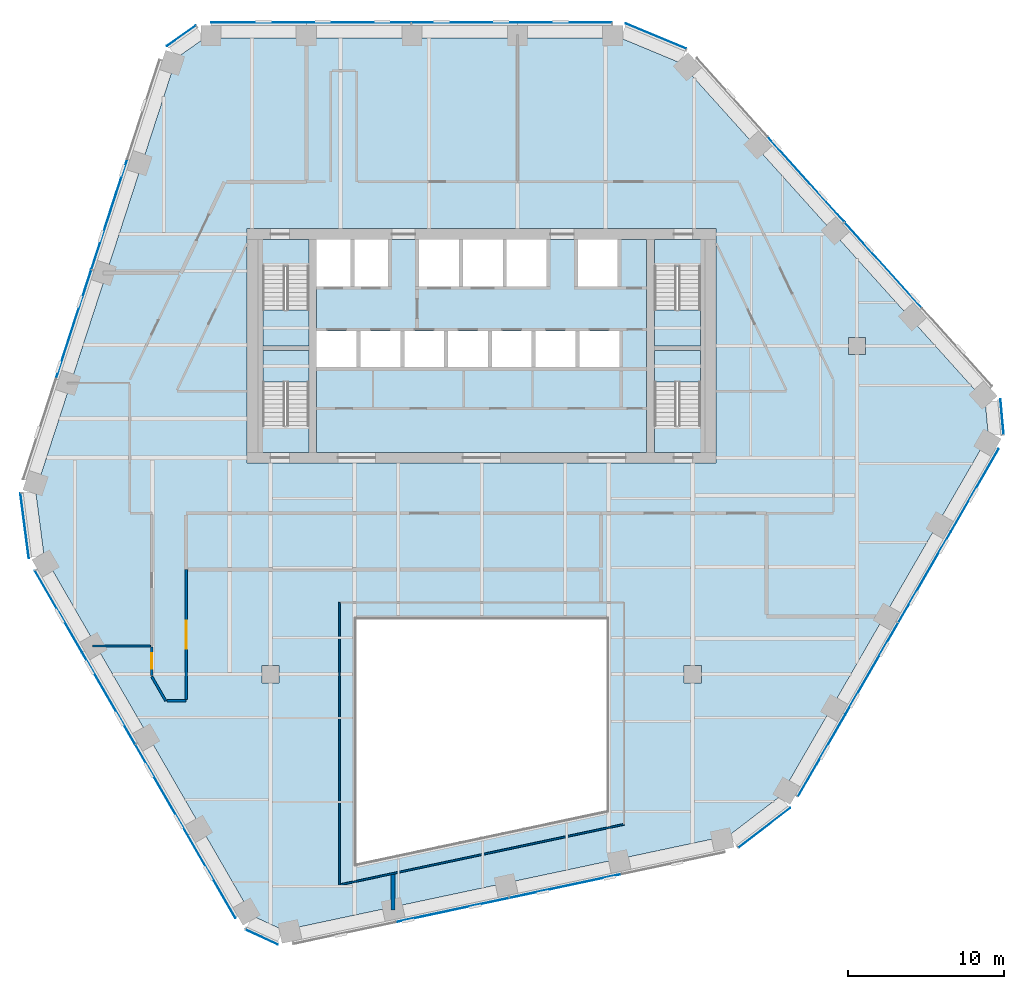
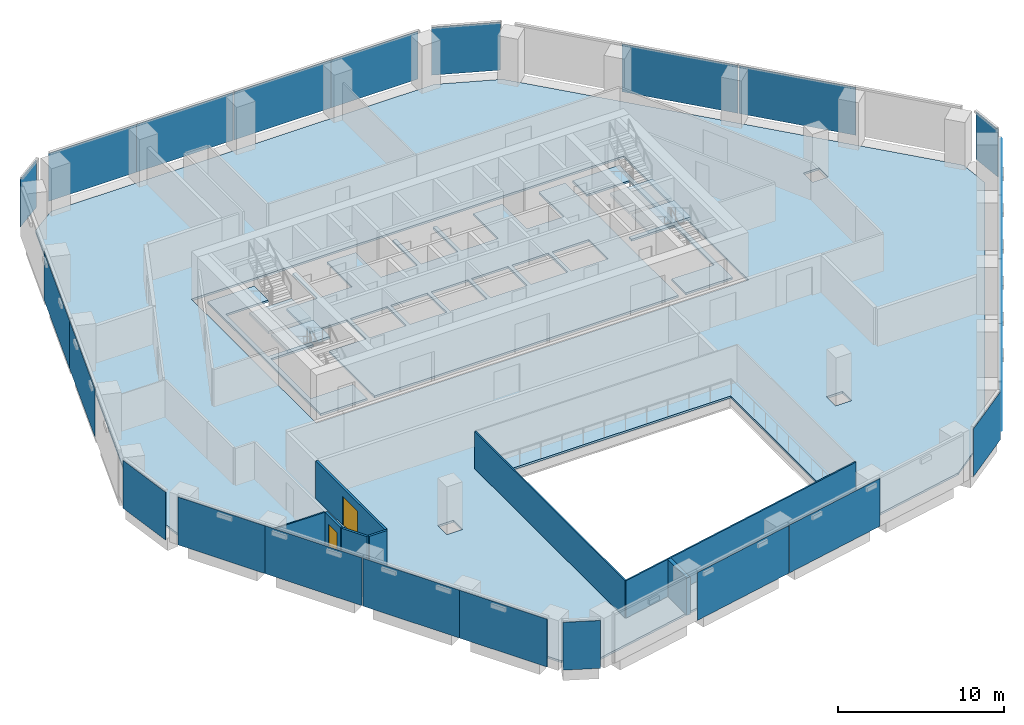
# One storey, part 10 of 17: 24 plates, 8 slabs, 8 walls, 2 doors, 2 openings, 16 elements without a shape of their own.
"""IFC4 building model written with IfcOpenShell, lengths in metres."""

from ifc_helpers import new_model, si_unit, direction, frame, frame_2d, origin, origin_2d, place, context, subcontext, project, spatial, polyline, rectangle, outline, extrude, material, layer, layer_set, type_object, element, fill, aggregate, save


model = new_model("IFC4")

# Units and contexts
model_context = context("Model", 3, precision=1e-05, world=origin(), true_north=direction((0.0, 1.0)))
body_context = subcontext(model_context, "Body", "Model", "MODEL_VIEW")
ifc_project = project(units=[si_unit("LENGTHUNIT", "METRE"), si_unit("AREAUNIT", "SQUARE_METRE"), si_unit("VOLUMEUNIT", "CUBIC_METRE"), si_unit("PLANEANGLEUNIT", "RADIAN"), si_unit("MASSUNIT", "GRAM", prefix="KILO")], contexts=[model_context])

# Site, building, storey
site_placement = place(None, origin())
site = spatial("IfcSite", under=ifc_project, at=site_placement, CompositionType="ELEMENT")
building_placement = place(site_placement, origin())
building = spatial("IfcBuilding", under=site, at=building_placement, Name="Isthmus Gate Tower", CompositionType="ELEMENT")
storey_placement = place(building_placement, frame((0.0, 0.0, 200.0)))
storey = spatial("IfcBuildingStorey", under=building, at=storey_placement, Name="L50", CompositionType="ELEMENT", Elevation=200.0)

# Slabs
ifc_material_1 = material(Name="Concrete f'c 40 MPa", Category="concrete")
ifc_layer_1 = layer(ifc_material_1, 0.14990234375)
ifc_layer_set_1 = layer_set([ifc_layer_1], Name="COMPOSITE FLOOR SLAB 150")
slab_type_1 = type_object("IfcSlabType", Name="COMPOSITE FLOOR SLAB 150", PredefinedType="FLOOR", material=ifc_layer_set_1)
slab_1_placement = place(storey_placement, frame((0.0, 0.0, -0.14990234375)))
element("IfcSlab", 1, at=slab_1_placement, inside=storey, type_object=slab_type_1, Name="str-slab-L50-1", PredefinedType="FLOOR", context=body_context, shape_type="SweptSolid", body=[
    extrude(outline(polyline([(12.72802734375, 25.599365234375), (32.21044921875, 3.9619140625), (32.410400390625, 1.736083984375), (19.116455078125, -21.289306640625), (15.8056640625, -23.822509765625), (-12.674072265625, -29.876220703125), (-14.701416015625, -28.936279296875), (-27.995361328125, -5.91064453125), (-28.53369140625, -1.77685546875), (-19.536376953125, 25.9140625), (-17.708740234375, 27.199951171875), (8.87890625, 27.199951171875), (12.72802734375, 25.599365234375)]), holes=[polyline([(-8.0, -10.0), (-8.0, -25.611083984375), (8.0, -22.210205078125), (8.0, -10.0), (-8.0, -10.0)]), polyline([(-14.050048828125, -12.949951171875), (-14.050048828125, -14.050048828125), (-12.949951171875, -14.050048828125), (-12.949951171875, -12.949951171875), (-14.050048828125, -12.949951171875)]), polyline([(14.050048828125, -12.949951171875), (12.949951171875, -12.949951171875), (12.949951171875, -14.050048828125), (14.050048828125, -14.050048828125), (14.050048828125, -12.949951171875)]), polyline([(-15.0, 15.0), (-15.0, 0.0), (15.0, 0.0), (15.0, 15.0), (-15.0, 15.0)]), polyline([(24.550048828125, 6.949951171875), (24.550048828125, 8.050048828125), (23.449951171875, 8.050048828125), (23.449951171875, 6.949951171875), (24.550048828125, 6.949951171875)])]), origin(), (0.0, 0.0, 1.0), 0.14990234375),
])
ifc_material_2 = material(Name="Concrete f'c 40 MPa", Category="concrete")
ifc_layer_2 = layer(ifc_material_2, 0.14990234375)
ifc_layer_set_2 = layer_set([ifc_layer_2], Name="CORE FLOOR SLAB 150")
slab_type_2 = type_object("IfcSlabType", Name="CORE FLOOR SLAB 150", PredefinedType="FLOOR", material=ifc_layer_set_2)
slab_2_placement = place(storey_placement, frame((0.0, 0.0, -0.14990234375)))
element("IfcSlab", 2, at=slab_2_placement, inside=storey, type_object=slab_type_2, Name="L50 core floor", PredefinedType="FLOOR", context=body_context, shape_type="SweptSolid", body=[
    extrude(outline(polyline([(-11.050048828125, 0.699951171875), (-11.050048828125, 2.402099609375), (-14.0, 2.402099609375), (-14.0, 7.199951171875), (-11.050048828125, 7.199951171875), (-11.050048828125, 7.5), (-14.0, 7.5), (-14.0, 12.597900390625), (-11.050048828125, 12.597900390625), (-11.050048828125, 14.300048828125), (-14.300048828125, 14.300048828125), (-14.300048828125, 0.699951171875), (-11.050048828125, 0.699951171875)])), origin(), (0.0, 0.0, 1.0), 0.14990234375),
])
slab_3_placement = place(storey_placement, frame((0.0, 0.0, -0.14990234375)))
element("IfcSlab", 3, at=slab_3_placement, inside=storey, type_object=slab_type_2, Name="L50 core floor", PredefinedType="FLOOR", context=body_context, shape_type="SweptSolid", body=[
    extrude(outline(polyline([(10.550048828125, 14.300048828125), (8.699951171875, 14.300048828125), (8.699951171875, 11.300048828125), (6.14990234375, 11.300048828125), (6.14990234375, 14.300048828125), (4.14990234375, 14.300048828125), (4.14990234375, 11.300048828125), (1.60009765625, 11.300048828125), (1.60009765625, 14.300048828125), (1.35009765625, 14.300048828125), (1.35009765625, 11.300048828125), (-1.199951171875, 11.300048828125), (-1.199951171875, 14.300048828125), (-1.449951171875, 14.300048828125), (-1.449951171875, 11.300048828125), (-4.0, 11.300048828125), (-4.0, 14.300048828125), (-6.0, 14.300048828125), (-6.0, 11.300048828125), (-8.14990234375, 11.300048828125), (-8.14990234375, 14.300048828125), (-8.39990234375, 14.300048828125), (-8.39990234375, 11.300048828125), (-10.550048828125, 11.300048828125), (-10.550048828125, 8.449951171875), (-8.0, 8.449951171875), (-8.0, 6.14990234375), (-10.550048828125, 6.14990234375), (-10.550048828125, 0.699951171875), (10.550048828125, 0.699951171875), (10.550048828125, 14.300048828125)]), holes=[polyline([(-5.199951171875, 8.449951171875), (-5.199951171875, 6.14990234375), (-7.75, 6.14990234375), (-7.75, 8.449951171875), (-5.199951171875, 8.449951171875)]), polyline([(-2.39990234375, 8.449951171875), (-2.39990234375, 6.14990234375), (-4.949951171875, 6.14990234375), (-4.949951171875, 8.449951171875), (-2.39990234375, 8.449951171875)]), polyline([(0.39990234375, 8.449951171875), (0.39990234375, 6.14990234375), (-2.14990234375, 6.14990234375), (-2.14990234375, 8.449951171875), (0.39990234375, 8.449951171875)]), polyline([(3.199951171875, 8.449951171875), (3.199951171875, 6.14990234375), (0.64990234375, 6.14990234375), (0.64990234375, 8.449951171875), (3.199951171875, 8.449951171875)]), polyline([(6.0, 8.449951171875), (6.0, 6.14990234375), (3.449951171875, 6.14990234375), (3.449951171875, 8.449951171875), (6.0, 8.449951171875)]), polyline([(8.800048828125, 8.449951171875), (8.800048828125, 6.14990234375), (6.25, 6.14990234375), (6.25, 8.449951171875), (8.800048828125, 8.449951171875)])]), origin(), (0.0, 0.0, 1.0), 0.14990234375),
])
slab_4_placement = place(storey_placement, frame((0.0, 0.0, -0.14990234375)))
element("IfcSlab", 4, at=slab_4_placement, inside=storey, type_object=slab_type_2, Name="L50 core floor", PredefinedType="FLOOR", context=body_context, shape_type="SweptSolid", body=[
    extrude(outline(polyline([(11.050048828125, 14.300048828125), (11.050048828125, 12.597900390625), (14.0, 12.597900390625), (14.0, 7.5), (11.050048828125, 7.5), (11.050048828125, 7.199951171875), (14.0, 7.199951171875), (14.0, 2.402099609375), (11.050048828125, 2.402099609375), (11.050048828125, 0.699951171875), (14.300048828125, 0.699951171875), (14.300048828125, 14.300048828125), (11.050048828125, 14.300048828125)])), origin(), (0.0, 0.0, 1.0), 0.14990234375),
])

# Curtain wall, plates
ifc_material_3 = material(Name="Aluminium, pale champagne anodised", Category="aluminium")
ifc_layer_3 = layer(ifc_material_3, 0.199951171875)
ifc_layer_set_3 = layer_set([ifc_layer_3], Name="CW-1 UNITISED CURTAIN WALL 200 DEEP")
curtain_wall_type = type_object("IfcCurtainWallType", Name="CW-1 UNITISED CURTAIN WALL 200 DEEP", PredefinedType="NOTDEFINED", material=ifc_layer_set_3)
curtain_wall_1_placement = place(storey_placement, origin())
curtain_wall_1 = element("IfcCurtainWall", 5, at=curtain_wall_1_placement, inside=storey, type_object=curtain_wall_type, Name="CW-1 N L50", PredefinedType="NOTDEFINED")
ifc_material_4 = material(Name="Laminated low-iron glass, pale blue tint", Category="glass")
ifc_layer_4 = layer(ifc_material_4, 0.035888671875)
ifc_layer_set_4 = layer_set([ifc_layer_4], Name="CW-1 CLEAR GLASS LITE 36")
plate_type = type_object("IfcPlateType", Name="CW-1 CLEAR GLASS LITE 36", PredefinedType="CURTAIN_PANEL", material=ifc_layer_set_4)
plate_1_placement = place(storey_placement, frame((5.30859375, 28.181884765625, 0.0), z_axis=(0.0, 0.0, 1.0), x_axis=(-1.0, 0.0, 0.0)))
plate_1 = element("IfcPlate", 6, at=plate_1_placement, type_object=plate_type, Name="CW-1 glass lite", PredefinedType="CURTAIN_PANEL", context=body_context, shape_type="SweptSolid", body=[
    extrude(rectangle(XDim=6.0400390625, YDim=0.035888671875, at=origin_2d()), origin(), (0.0, 0.0, 1.0), 3.510009765625),
])
plate_2_placement = place(storey_placement, frame((-1.086669921875, 28.181884765625, 0.0), z_axis=(0.0, 0.0, 1.0), x_axis=(-1.0, 0.0, 0.0)))
plate_2 = element("IfcPlate", 7, at=plate_2_placement, type_object=plate_type, Name="CW-1 glass lite", PredefinedType="CURTAIN_PANEL", context=body_context, shape_type="SweptSolid", body=[
    extrude(rectangle(XDim=6.750244140625, YDim=0.035888671875, at=origin_2d()), origin(), (0.0, 0.0, 1.0), 3.510009765625),
])
plate_3_placement = place(storey_placement, frame((-7.86669921875, 28.181884765625, 0.0), z_axis=(0.0, 0.0, 1.0), x_axis=(-1.0, 0.0, 0.0)))
plate_3 = element("IfcPlate", 8, at=plate_3_placement, type_object=plate_type, Name="CW-1 glass lite", PredefinedType="CURTAIN_PANEL", context=body_context, shape_type="SweptSolid", body=[
    extrude(rectangle(XDim=6.690185546875, YDim=0.035888671875, at=origin_2d()), origin(), (0.0, 0.0, 1.0), 3.510009765625),
])
plate_4_placement = place(storey_placement, frame((-14.261962890625, 28.181884765625, 0.0), z_axis=(0.0, 0.0, 1.0), x_axis=(-1.0, 0.0, 0.0)))
plate_4 = element("IfcPlate", 9, at=plate_4_placement, type_object=plate_type, Name="CW-1 glass lite", PredefinedType="CURTAIN_PANEL", context=body_context, shape_type="SweptSolid", body=[
    extrude(rectangle(XDim=6.10009765625, YDim=0.035888671875, at=origin_2d()), origin(), (0.0, 0.0, 1.0), 3.510009765625),
])
aggregate(curtain_wall_1, [plate_1, plate_2, plate_3, plate_4])

# Curtain wall, plate
curtain_wall_2_placement = place(storey_placement, origin())
curtain_wall_2 = element("IfcCurtainWall", 10, at=curtain_wall_2_placement, inside=storey, type_object=curtain_wall_type, Name="CW-1 N-NW L50", PredefinedType="NOTDEFINED")
plate_5_placement = place(storey_placement, frame((-19.2119140625, 27.343017578125, 0.0), z_axis=(0.0, 0.0, 1.0), x_axis=(-0.81785959165, -0.57541783805, 0.0)))
plate_5 = element("IfcPlate", 11, at=plate_5_placement, type_object=plate_type, Name="CW-1 glass lite", PredefinedType="CURTAIN_PANEL", context=body_context, shape_type="SweptSolid", body=[
    extrude(rectangle(XDim=2.258544921875, YDim=0.035888671875, at=origin_2d()), origin(), (0.0, 0.0, 1.0), 3.510009765625),
])
aggregate(curtain_wall_2, [plate_5])

# Curtain wall, plates
curtain_wall_3_placement = place(storey_placement, origin())
curtain_wall_3 = element("IfcCurtainWall", 12, at=curtain_wall_3_placement, inside=storey, type_object=curtain_wall_type, Name="CW-1 NW L50", PredefinedType="NOTDEFINED")
plate_6_placement = place(storey_placement, frame((-23.813720703125, 15.927490234375, 0.0), z_axis=(0.0, 0.0, 1.0), x_axis=(-0.309016994375, -0.951056516295, 0.0)))
plate_6 = element("IfcPlate", 13, at=plate_6_placement, type_object=plate_type, Name="CW-1 glass lite", PredefinedType="CURTAIN_PANEL", context=body_context, shape_type="SweptSolid", body=[
    extrude(rectangle(XDim=7.390869140625, YDim=0.035888671875, at=origin_2d()), origin(), (0.0, 0.0, 1.0), 3.510009765625),
])
plate_7_placement = place(storey_placement, frame((-26.10693359375, 8.8701171875, 0.0), z_axis=(0.0, 0.0, 1.0), x_axis=(-0.309016994375, -0.951056516295, 0.0)))
plate_7 = element("IfcPlate", 14, at=plate_7_placement, type_object=plate_type, Name="CW-1 glass lite", PredefinedType="CURTAIN_PANEL", context=body_context, shape_type="SweptSolid", body=[
    extrude(rectangle(XDim=7.330810546875, YDim=0.035888671875, at=origin_2d()), origin(), (0.0, 0.0, 1.0), 3.510009765625),
])
aggregate(curtain_wall_3, [plate_6, plate_7])

# Curtain wall, plate
curtain_wall_4_placement = place(storey_placement, origin())
curtain_wall_4 = element("IfcCurtainWall", 15, at=curtain_wall_4_placement, inside=storey, type_object=curtain_wall_type, Name="CW-1 NW-SW L50", PredefinedType="NOTDEFINED")
plate_8_placement = place(storey_placement, frame((-29.234619140625, -3.9990234375, 0.0), z_axis=(0.0, 0.0, 1.0), x_axis=(0.129164534, -0.991623175988, 0.0)))
plate_8 = element("IfcPlate", 16, at=plate_8_placement, type_object=plate_type, Name="CW-1 glass lite", PredefinedType="CURTAIN_PANEL", context=body_context, shape_type="SweptSolid", body=[
    extrude(rectangle(XDim=4.181396484375, YDim=0.035888671875, at=origin_2d()), origin(), (0.0, 0.0, 1.0), 3.510009765625),
])
aggregate(curtain_wall_4, [plate_8])

# Curtain wall, plates
curtain_wall_5_placement = place(storey_placement, origin())
curtain_wall_5 = element("IfcCurtainWall", 17, at=curtain_wall_5_placement, inside=storey, type_object=curtain_wall_type, Name="CW-1 SW L50", PredefinedType="NOTDEFINED")
plate_9_placement = place(storey_placement, frame((-27.060546875, -9.49365234375, 0.0), z_axis=(0.0, 0.0, 1.0), x_axis=(0.5, -0.866025403784, 0.0)))
plate_9 = element("IfcPlate", 18, at=plate_9_placement, type_object=plate_type, Name="CW-1 glass lite", PredefinedType="CURTAIN_PANEL", context=body_context, shape_type="SweptSolid", body=[
    extrude(rectangle(XDim=6.0400390625, YDim=0.035888671875, at=origin_2d()), origin(), (0.0, 0.0, 1.0), 3.510009765625),
])
plate_10_placement = place(storey_placement, frame((-23.863037109375, -15.031982421875, 0.0), z_axis=(0.0, 0.0, 1.0), x_axis=(0.5, -0.866025403784, 0.0)))
plate_10 = element("IfcPlate", 19, at=plate_10_placement, type_object=plate_type, Name="CW-1 glass lite", PredefinedType="CURTAIN_PANEL", context=body_context, shape_type="SweptSolid", body=[
    extrude(rectangle(XDim=6.750244140625, YDim=0.035888671875, at=origin_2d()), origin(), (0.0, 0.0, 1.0), 3.510009765625),
])
plate_11_placement = place(storey_placement, frame((-20.472900390625, -20.90380859375, 0.0), z_axis=(0.0, 0.0, 1.0), x_axis=(0.5, -0.866025403784, 0.0)))
plate_11 = element("IfcPlate", 20, at=plate_11_placement, type_object=plate_type, Name="CW-1 glass lite", PredefinedType="CURTAIN_PANEL", context=body_context, shape_type="SweptSolid", body=[
    extrude(rectangle(XDim=6.690185546875, YDim=0.035888671875, at=origin_2d()), origin(), (0.0, 0.0, 1.0), 3.510009765625),
])
plate_12_placement = place(storey_placement, frame((-17.275390625, -26.442138671875, 0.0), z_axis=(0.0, 0.0, 1.0), x_axis=(0.5, -0.866025403784, 0.0)))
plate_12 = element("IfcPlate", 21, at=plate_12_placement, type_object=plate_type, Name="CW-1 glass lite", PredefinedType="CURTAIN_PANEL", context=body_context, shape_type="SweptSolid", body=[
    extrude(rectangle(XDim=6.10009765625, YDim=0.035888671875, at=origin_2d()), origin(), (0.0, 0.0, 1.0), 3.510009765625),
])
aggregate(curtain_wall_5, [plate_9, plate_10, plate_11, plate_12])

# Curtain wall, plate
curtain_wall_6_placement = place(storey_placement, origin())
curtain_wall_6 = element("IfcCurtainWall", 22, at=curtain_wall_6_placement, inside=storey, type_object=curtain_wall_type, Name="CW-1 SW-S L50", PredefinedType="NOTDEFINED")
plate_13_placement = place(storey_placement, frame((-14.07373046875, -30.3095703125, 0.0), z_axis=(0.0, 0.0, 1.0), x_axis=(0.907256261367, -0.420578264073, 0.0)))
plate_13 = element("IfcPlate", 23, at=plate_13_placement, type_object=plate_type, Name="CW-1 glass lite", PredefinedType="CURTAIN_PANEL", context=body_context, shape_type="SweptSolid", body=[
    extrude(rectangle(XDim=2.258544921875, YDim=0.035888671875, at=origin_2d()), origin(), (0.0, 0.0, 1.0), 3.510009765625),
])
aggregate(curtain_wall_6, [plate_13])

# Curtain wall, plates
curtain_wall_7_placement = place(storey_placement, origin())
curtain_wall_7 = element("IfcCurtainWall", 24, at=curtain_wall_7_placement, inside=storey, type_object=curtain_wall_type, Name="CW-1 S L50", PredefinedType="NOTDEFINED")
plate_14_placement = place(storey_placement, frame((-1.88671875, -28.587158203125, 0.0), z_axis=(0.0, 0.0, 1.0), x_axis=(0.978147600734, 0.207911690818, 0.0)))
plate_14 = element("IfcPlate", 25, at=plate_14_placement, type_object=plate_type, Name="CW-1 glass lite", PredefinedType="CURTAIN_PANEL", context=body_context, shape_type="SweptSolid", body=[
    extrude(rectangle(XDim=7.390869140625, YDim=0.035888671875, at=origin_2d()), origin(), (0.0, 0.0, 1.0), 3.510009765625),
])
plate_15_placement = place(storey_placement, frame((5.371826171875, -27.044189453125, 0.0), z_axis=(0.0, 0.0, 1.0), x_axis=(0.978147600734, 0.207911690818, 0.0)))
plate_15 = element("IfcPlate", 26, at=plate_15_placement, type_object=plate_type, Name="CW-1 glass lite", PredefinedType="CURTAIN_PANEL", context=body_context, shape_type="SweptSolid", body=[
    extrude(rectangle(XDim=7.330810546875, YDim=0.035888671875, at=origin_2d()), origin(), (0.0, 0.0, 1.0), 3.510009765625),
])
aggregate(curtain_wall_7, [plate_14, plate_15])

# Curtain wall, plate
curtain_wall_8_placement = place(storey_placement, origin())
curtain_wall_8 = element("IfcCurtainWall", 27, at=curtain_wall_8_placement, inside=storey, type_object=curtain_wall_type, Name="CW-1 S-SE L50", PredefinedType="NOTDEFINED")
plate_16_placement = place(storey_placement, frame((18.08056640625, -23.318359375, 0.0), z_axis=(0.0, 0.0, 1.0), x_axis=(0.794188594387, 0.607671355706, 0.0)))
plate_16 = element("IfcPlate", 28, at=plate_16_placement, type_object=plate_type, Name="CW-1 glass lite", PredefinedType="CURTAIN_PANEL", context=body_context, shape_type="SweptSolid", body=[
    extrude(rectangle(XDim=4.181396484375, YDim=0.035888671875, at=origin_2d()), origin(), (0.0, 0.0, 1.0), 3.510009765625),
])
aggregate(curtain_wall_8, [plate_16])

# Curtain wall, plates
curtain_wall_9_placement = place(storey_placement, origin())
curtain_wall_9 = element("IfcCurtainWall", 29, at=curtain_wall_9_placement, inside=storey, type_object=curtain_wall_type, Name="CW-1 SE L50", PredefinedType="NOTDEFINED")
plate_17_placement = place(storey_placement, frame((21.752197265625, -18.688232421875, 0.0), z_axis=(0.0, 0.0, 1.0), x_axis=(0.5, 0.866025403784, 0.0)))
plate_17 = element("IfcPlate", 30, at=plate_17_placement, type_object=plate_type, Name="CW-1 glass lite", PredefinedType="CURTAIN_PANEL", context=body_context, shape_type="SweptSolid", body=[
    extrude(rectangle(XDim=6.0400390625, YDim=0.035888671875, at=origin_2d()), origin(), (0.0, 0.0, 1.0), 3.510009765625),
])
plate_18_placement = place(storey_placement, frame((24.94970703125, -13.14990234375, 0.0), z_axis=(0.0, 0.0, 1.0), x_axis=(0.5, 0.866025403784, 0.0)))
plate_18 = element("IfcPlate", 31, at=plate_18_placement, type_object=plate_type, Name="CW-1 glass lite", PredefinedType="CURTAIN_PANEL", context=body_context, shape_type="SweptSolid", body=[
    extrude(rectangle(XDim=6.750244140625, YDim=0.035888671875, at=origin_2d()), origin(), (0.0, 0.0, 1.0), 3.510009765625),
])
plate_19_placement = place(storey_placement, frame((28.339599609375, -7.278076171875, 0.0), z_axis=(0.0, 0.0, 1.0), x_axis=(0.5, 0.866025403784, 0.0)))
plate_19 = element("IfcPlate", 32, at=plate_19_placement, type_object=plate_type, Name="CW-1 glass lite", PredefinedType="CURTAIN_PANEL", context=body_context, shape_type="SweptSolid", body=[
    extrude(rectangle(XDim=6.690185546875, YDim=0.035888671875, at=origin_2d()), origin(), (0.0, 0.0, 1.0), 3.510009765625),
])
plate_20_placement = place(storey_placement, frame((31.537353515625, -1.73974609375, 0.0), z_axis=(0.0, 0.0, 1.0), x_axis=(0.5, 0.866025403784, 0.0)))
plate_20 = element("IfcPlate", 33, at=plate_20_placement, type_object=plate_type, Name="CW-1 glass lite", PredefinedType="CURTAIN_PANEL", context=body_context, shape_type="SweptSolid", body=[
    extrude(rectangle(XDim=6.10009765625, YDim=0.035888671875, at=origin_2d()), origin(), (0.0, 0.0, 1.0), 3.510009765625),
])
aggregate(curtain_wall_9, [plate_17, plate_18, plate_19, plate_20])

# Curtain wall, plate
curtain_wall_10_placement = place(storey_placement, origin())
curtain_wall_10 = element("IfcCurtainWall", 34, at=curtain_wall_10_placement, inside=storey, type_object=curtain_wall_type, Name="CW-1 SE-NE L50", PredefinedType="NOTDEFINED")
plate_21_placement = place(storey_placement, frame((33.285888671875, 2.966552734375, 0.0), z_axis=(0.0, 0.0, 1.0), x_axis=(-0.089396669717, 0.995996102123, 0.0)))
plate_21 = element("IfcPlate", 35, at=plate_21_placement, type_object=plate_type, Name="CW-1 glass lite", PredefinedType="CURTAIN_PANEL", context=body_context, shape_type="SweptSolid", body=[
    extrude(rectangle(XDim=2.258544921875, YDim=0.035888671875, at=origin_2d()), origin(), (0.0, 0.0, 1.0), 3.510009765625),
])
aggregate(curtain_wall_10, [plate_21])

# Curtain wall, plates
curtain_wall_11_placement = place(storey_placement, origin())
curtain_wall_11 = element("IfcCurtainWall", 36, at=curtain_wall_11_placement, inside=storey, type_object=curtain_wall_type, Name="CW-1 NE L50", PredefinedType="NOTDEFINED")
plate_22_placement = place(storey_placement, frame((25.70068359375, 12.659423828125, 0.0), z_axis=(0.0, 0.0, 1.0), x_axis=(-0.669130606359, 0.743144825477, 0.0)))
plate_22 = element("IfcPlate", 37, at=plate_22_placement, type_object=plate_type, Name="CW-1 glass lite", PredefinedType="CURTAIN_PANEL", context=body_context, shape_type="SweptSolid", body=[
    extrude(rectangle(XDim=7.390869140625, YDim=0.035888671875, at=origin_2d()), origin(), (0.0, 0.0, 1.0), 3.510009765625),
])
plate_23_placement = place(storey_placement, frame((20.735107421875, 18.17431640625, 0.0), z_axis=(0.0, 0.0, 1.0), x_axis=(-0.669130606359, 0.743144825477, 0.0)))
plate_23 = element("IfcPlate", 38, at=plate_23_placement, type_object=plate_type, Name="CW-1 glass lite", PredefinedType="CURTAIN_PANEL", context=body_context, shape_type="SweptSolid", body=[
    extrude(rectangle(XDim=7.330810546875, YDim=0.035888671875, at=origin_2d()), origin(), (0.0, 0.0, 1.0), 3.510009765625),
])
aggregate(curtain_wall_11, [plate_22, plate_23])

# Curtain wall, plate
curtain_wall_12_placement = place(storey_placement, origin())
curtain_wall_12 = element("IfcCurtainWall", 39, at=curtain_wall_12_placement, inside=storey, type_object=curtain_wall_type, Name="CW-1 NE-N L50", PredefinedType="NOTDEFINED")
plate_24_placement = place(storey_placement, frame((11.154052734375, 27.3173828125, 0.0), z_axis=(0.0, 0.0, 1.0), x_axis=(-0.923353128387, 0.383951820282, 0.0)))
plate_24 = element("IfcPlate", 40, at=plate_24_placement, type_object=plate_type, Name="CW-1 glass lite", PredefinedType="CURTAIN_PANEL", context=body_context, shape_type="SweptSolid", body=[
    extrude(rectangle(XDim=4.181396484375, YDim=0.035888671875, at=origin_2d()), origin(), (0.0, 0.0, 1.0), 3.510009765625),
])
aggregate(curtain_wall_12, [plate_24])

# Stair, slab
ifc_material_5 = material(Name="Concrete f'c 40 MPa", Category="concrete")
stair_type = type_object("IfcStairType", Name="CORE STAIR 22 RISERS", PredefinedType="HALF_TURN_STAIR", material=ifc_material_5)
stair_1_placement = place(storey_placement, origin())
stair_1 = element("IfcStair", 41, at=stair_1_placement, inside=storey, type_object=stair_type, Name="L50 Exit Stair 1", PredefinedType="HALF_TURN_STAIR")
ifc_material_6 = material(Name="Concrete f'c 40 MPa", Category="concrete")
ifc_layer_5 = layer(ifc_material_6, 0.199951171875)
ifc_layer_set_5 = layer_set([ifc_layer_5])
slab_type_3 = type_object("IfcSlabType", Name="STAIR LANDING RC 200", PredefinedType="LANDING", material=ifc_layer_set_5)
slab_5_placement = place(storey_placement, frame((0.0, 0.0, 1.625)))
slab_5 = element("IfcSlab", 42, at=slab_5_placement, type_object=slab_type_3, Name="ST1 landing 1", PredefinedType="LANDING", context=body_context, shape_type="SweptSolid", body=[
    extrude(outline(polyline([(-14.0, 9.800048828125), (-14.0, 7.5), (-11.050048828125, 7.5), (-11.050048828125, 9.800048828125), (-14.0, 9.800048828125)])), origin(), (0.0, 0.0, 1.0), 0.199951171875),
])
aggregate(stair_1, [slab_5])

stair_2_placement = place(storey_placement, origin())
stair_2 = element("IfcStair", 43, at=stair_2_placement, inside=storey, type_object=stair_type, Name="L50 Exit Stair 2", PredefinedType="HALF_TURN_STAIR")
slab_6_placement = place(storey_placement, frame((0.0, 0.0, 1.625)))
slab_6 = element("IfcSlab", 44, at=slab_6_placement, type_object=slab_type_3, Name="ST2 landing 1", PredefinedType="LANDING", context=body_context, shape_type="SweptSolid", body=[
    extrude(outline(polyline([(11.050048828125, 9.800048828125), (11.050048828125, 7.5), (14.0, 7.5), (14.0, 9.800048828125), (11.050048828125, 9.800048828125)])), origin(), (0.0, 0.0, 1.0), 0.199951171875),
])
aggregate(stair_2, [slab_6])

stair_3_placement = place(storey_placement, origin())
stair_3 = element("IfcStair", 45, at=stair_3_placement, inside=storey, type_object=stair_type, Name="L50 Exit Stair 7", PredefinedType="HALF_TURN_STAIR")
slab_7_placement = place(storey_placement, frame((0.0, 0.0, 1.625)))
slab_7 = element("IfcSlab", 46, at=slab_7_placement, type_object=slab_type_3, Name="ST7 landing 1", PredefinedType="LANDING", context=body_context, shape_type="SweptSolid", body=[
    extrude(outline(polyline([(-11.050048828125, 5.199951171875), (-11.050048828125, 7.199951171875), (-14.0, 7.199951171875), (-14.0, 5.199951171875), (-11.050048828125, 5.199951171875)])), origin(), (0.0, 0.0, 1.0), 0.199951171875),
])
aggregate(stair_3, [slab_7])

stair_4_placement = place(storey_placement, origin())
stair_4 = element("IfcStair", 47, at=stair_4_placement, inside=storey, type_object=stair_type, Name="L50 Exit Stair 8", PredefinedType="HALF_TURN_STAIR")
slab_8_placement = place(storey_placement, frame((0.0, 0.0, 1.625)))
slab_8 = element("IfcSlab", 48, at=slab_8_placement, type_object=slab_type_3, Name="ST8 landing 1", PredefinedType="LANDING", context=body_context, shape_type="SweptSolid", body=[
    extrude(outline(polyline([(14.0, 5.199951171875), (14.0, 7.199951171875), (11.050048828125, 7.199951171875), (11.050048828125, 5.199951171875), (14.0, 5.199951171875)])), origin(), (0.0, 0.0, 1.0), 0.199951171875),
])
aggregate(stair_4, [slab_8])

# Walls
ifc_material_7 = material(Name="Double-leaf acoustic stud wall, fire-rated", Category="gypsum")
ifc_layer_6 = layer(ifc_material_7, 0.25)
ifc_layer_set_6 = layer_set([ifc_layer_6], Name="ACOUSTIC WALL 250 60 MIN")
wall_type_1 = type_object("IfcWallType", Name="ACOUSTIC WALL 250 60 MIN", PredefinedType="PARTITIONING", material=ifc_layer_set_6)
wall_1_placement = place(storey_placement, frame((-5.674072265625, -28.593017578125, 0.0), z_axis=(0.0, 0.0, 1.0), x_axis=(0.0, 1.0, 0.0)))
element("IfcWall", 49, at=wall_1_placement, inside=storey, type_object=wall_type_1, Name="L50 Acoustic Wall 250 60 Min", PredefinedType="PARTITIONING", context=body_context, shape_type="SweptSolid", body=[
    extrude(rectangle(XDim=2.301025390625, YDim=0.25, at=frame_2d((1.150390625, 0.0))), origin(), (0.0, 0.0, 1.0), 2.7412109375),
])
ifc_material_8 = material(Name="Fire-rated laminated glass in steel frame", Category="steel")
ifc_layer_7 = layer(ifc_material_8, 0.10009765625)
ifc_layer_set_7 = layer_set([ifc_layer_7], Name="ATRIUM SCREEN GLAZED WALL 100 120 MIN")
wall_type_2 = type_object("IfcWallType", Name="ATRIUM SCREEN GLAZED WALL 100 120 MIN", PredefinedType="PARTITIONING", material=ifc_layer_set_7)
wall_2_placement = place(storey_placement, frame((9.10009765625, -23.100830078125, 0.0), z_axis=(0.0, 0.0, 1.0), x_axis=(-0.978146710971, -0.207915876778, 0.0)))
element("IfcWall", 50, at=wall_2_placement, inside=storey, type_object=wall_type_2, Name="L50 atrium screen", PredefinedType="PARTITIONING", context=body_context, shape_type="SweptSolid", body=[
    extrude(rectangle(XDim=18.60693359375, YDim=0.10009765625, at=frame_2d((9.303466796875, 0.0))), origin(), (0.0, 0.0, 1.0), 2.7412109375),
])
wall_3_placement = place(storey_placement, frame((-9.10009765625, -26.969482421875, 0.0), z_axis=(0.0, 0.0, 1.0), x_axis=(0.0, 1.0, 0.0)))
element("IfcWall", 51, at=wall_3_placement, inside=storey, type_object=wall_type_2, Name="L50 atrium screen", PredefinedType="PARTITIONING", context=body_context, shape_type="SweptSolid", body=[
    extrude(rectangle(XDim=18.069580078125, YDim=0.10009765625, at=frame_2d((9.03466796875, 0.0))), origin(), (0.0, 0.0, 1.0), 2.7412109375),
])
ifc_material_9 = material(Name="Gypsum board on steel studs, fire-rated", Category="steel")
ifc_layer_8 = layer(ifc_material_9, 0.14990234375)
ifc_layer_set_8 = layer_set([ifc_layer_8], Name="CORRIDOR WALL 150 60 MIN")
wall_type_3 = type_object("IfcWallType", Name="CORRIDOR WALL 150 60 MIN", PredefinedType="PARTITIONING", material=ifc_layer_set_8)
wall_4_placement = place(storey_placement, frame((-20.20703125, -15.199951171875, 0.0), z_axis=(0.0, 0.0, 1.0), x_axis=(-0.500227474337, 0.865894031576, 0.0)))
element("IfcWall", 52, at=wall_4_placement, inside=storey, type_object=wall_type_3, Name="L50 Corridor Wall 150 60 Min", PredefinedType="PARTITIONING", context=body_context, shape_type="SweptSolid", body=[
    extrude(rectangle(XDim=1.785400390625, YDim=0.14990234375, at=frame_2d((0.892578125, 0.0))), origin(), (0.0, 0.0, 1.0), 2.7412109375),
])
wall_5_placement = place(storey_placement, frame((-18.89990234375, -15.199951171875, 0.0), z_axis=(0.0, 0.0, 1.0), x_axis=(-1.0, 0.0, 0.0)))
element("IfcWall", 53, at=wall_5_placement, inside=storey, type_object=wall_type_3, Name="L50 Corridor Wall 150 60 Min", PredefinedType="PARTITIONING", context=body_context, shape_type="SweptSolid", body=[
    extrude(rectangle(XDim=1.232177734375, YDim=0.14990234375, at=frame_2d((0.6162109375, 0.0))), origin(), (0.0, 0.0, 1.0), 2.7412109375),
])

# Wall, opening, door
wall_6_placement = place(storey_placement, frame((-18.89990234375, -6.800048828125, 0.0), z_axis=(0.0, 0.0, 1.0), x_axis=(0.0, -1.0, 0.0)))
wall_6 = element("IfcWall", 54, at=wall_6_placement, inside=storey, type_object=wall_type_3, Name="L50 Corridor Wall 150 60 Min", PredefinedType="PARTITIONING", context=body_context, shape_type="SweptSolid", body=[
    extrude(rectangle(XDim=8.324951171875, YDim=0.14990234375, at=frame_2d((4.16259765625, 0.0))), origin(), (0.0, 0.0, 1.0), 2.7412109375),
])
opening_1_placement = place(wall_6_placement, frame((3.262451171875, 0.0, 0.0)))
opening_1 = element("IfcOpeningElement", 55, at=opening_1_placement, cuts=wall_6, Name="Opening DT-T4D-09", PredefinedType="OPENING", context=body_context, shape_type="SweptSolid", body=[
    extrude(rectangle(XDim=1.800048828125, YDim=2.10009765625, at=frame_2d((0.89990234375, 1.050048828125))), frame((0.0, 0.0849609375, 0.0), z_axis=(0.0, -1.0, 0.0), x_axis=(1.0, 0.0, 0.0)), (0.0, 0.0, 1.0), 0.169921875),
])
ifc_material_10 = material(Name="Solid core timber door leaf, fire-rated", Category="wood")
door_type_1 = type_object("IfcDoorType", Name="FIRE DOOR ROOM 1800 X 2100 60 MIN", OperationType="DOUBLE_DOOR_DOUBLE_SWING", PredefinedType="DOOR", material=ifc_material_10)
door_1_placement = place(opening_1_placement, origin())
door_1 = element("IfcDoor", 56, at=door_1_placement, inside=storey, type_object=door_type_1, Name="L50 room door", OperationType="DOUBLE_DOOR_DOUBLE_SWING", OverallHeight=2.10009765625, OverallWidth=1.800048828125, PredefinedType="DOOR", context=body_context, shape_type="SweptSolid", body=[
    extrude(rectangle(XDim=1.800048828125, YDim=2.10009765625, at=frame_2d((0.89990234375, 1.050048828125))), frame((0.0, 0.02490234375, 0.0), z_axis=(0.0, -1.0, 0.0), x_axis=(1.0, 0.0, 0.0)), (0.0, 0.0, 1.0), 0.050048828125),
])
fill(opening_1, door_1)

wall_7_placement = place(storey_placement, frame((-21.10009765625, -13.5791015625, 0.0), z_axis=(0.0, 0.0, 1.0), x_axis=(0.0, 1.0, 0.0)))
wall_7 = element("IfcWall", 57, at=wall_7_placement, inside=storey, type_object=wall_type_3, Name="L50 Corridor Wall 150 60 Min", PredefinedType="PARTITIONING", context=body_context, shape_type="SweptSolid", body=[
    extrude(rectangle(XDim=1.836181640625, YDim=0.14990234375, at=frame_2d((0.91796875, 0.0))), origin(), (0.0, 0.0, 1.0), 2.7412109375),
])
opening_2_placement = place(wall_7_placement, frame((0.41796875, 0.0, 0.0)))
opening_2 = element("IfcOpeningElement", 58, at=opening_2_placement, cuts=wall_7, Name="Opening DT-T4D-10", PredefinedType="OPENING", context=body_context, shape_type="SweptSolid", body=[
    extrude(rectangle(XDim=1.0, YDim=2.10009765625, at=frame_2d((0.5, 1.050048828125))), frame((0.0, 0.0849609375, 0.0), z_axis=(0.0, -1.0, 0.0), x_axis=(1.0, 0.0, 0.0)), (0.0, 0.0, 1.0), 0.169921875),
])
ifc_material_11 = material(Name="Solid core timber door leaf, fire-rated", Category="wood")
door_type_2 = type_object("IfcDoorType", Name="FIRE DOOR ROOM 1000 X 2100 60 MIN", OperationType="SINGLE_SWING_LEFT", PredefinedType="DOOR", material=ifc_material_11)
door_2_placement = place(opening_2_placement, origin())
door_2 = element("IfcDoor", 59, at=door_2_placement, inside=storey, type_object=door_type_2, Name="L50 room door", OperationType="SINGLE_SWING_RIGHT", OverallHeight=2.10009765625, OverallWidth=1.0, PredefinedType="DOOR", context=body_context, shape_type="SweptSolid", body=[
    extrude(rectangle(XDim=1.0, YDim=2.10009765625, at=frame_2d((0.5, 1.050048828125))), frame((0.0, 0.02490234375, 0.0), z_axis=(0.0, -1.0, 0.0), x_axis=(1.0, 0.0, 0.0)), (0.0, 0.0, 1.0), 0.050048828125),
])
fill(opening_2, door_2)

# Wall
ifc_material_12 = material(Name="Gypsum board on steel studs, fire-rated", Category="steel")
ifc_layer_9 = layer(ifc_material_12, 0.10009765625)
ifc_layer_set_9 = layer_set([ifc_layer_9], Name="ROOM PARTITION 100 30 MIN")
wall_type_4 = type_object("IfcWallType", Name="ROOM PARTITION 100 30 MIN", PredefinedType="PARTITIONING", material=ifc_layer_set_9)
wall_8_placement = place(storey_placement, frame((-24.887939453125, -11.693115234375, 0.0), z_axis=(0.0, 0.0, 1.0), x_axis=(1.0, 0.0, 0.0)))
element("IfcWall", 60, at=wall_8_placement, inside=storey, type_object=wall_type_4, Name="L50 Room Partition 100 30 Min", PredefinedType="PARTITIONING", context=body_context, shape_type="SweptSolid", body=[
    extrude(rectangle(XDim=3.712890625, YDim=0.10009765625, at=frame_2d((1.8564453125, 0.0))), origin(), (0.0, 0.0, 1.0), 2.7412109375),
])

save(model, "model.ifc")
